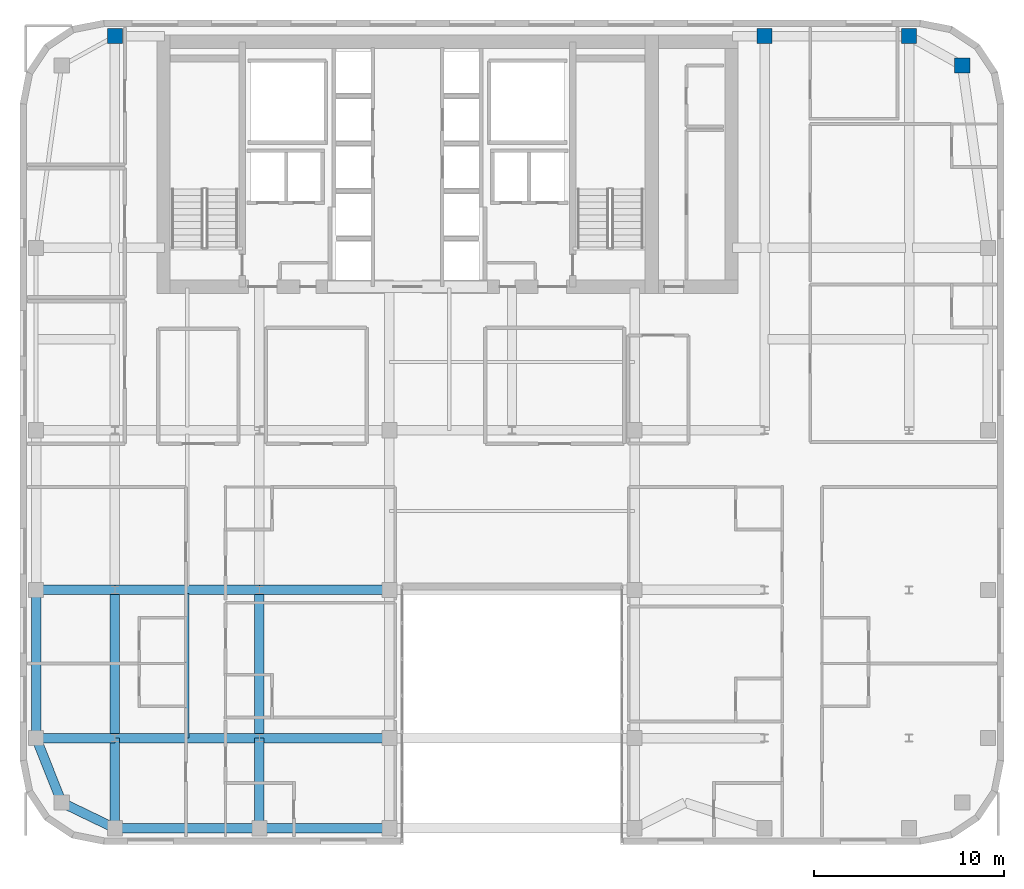
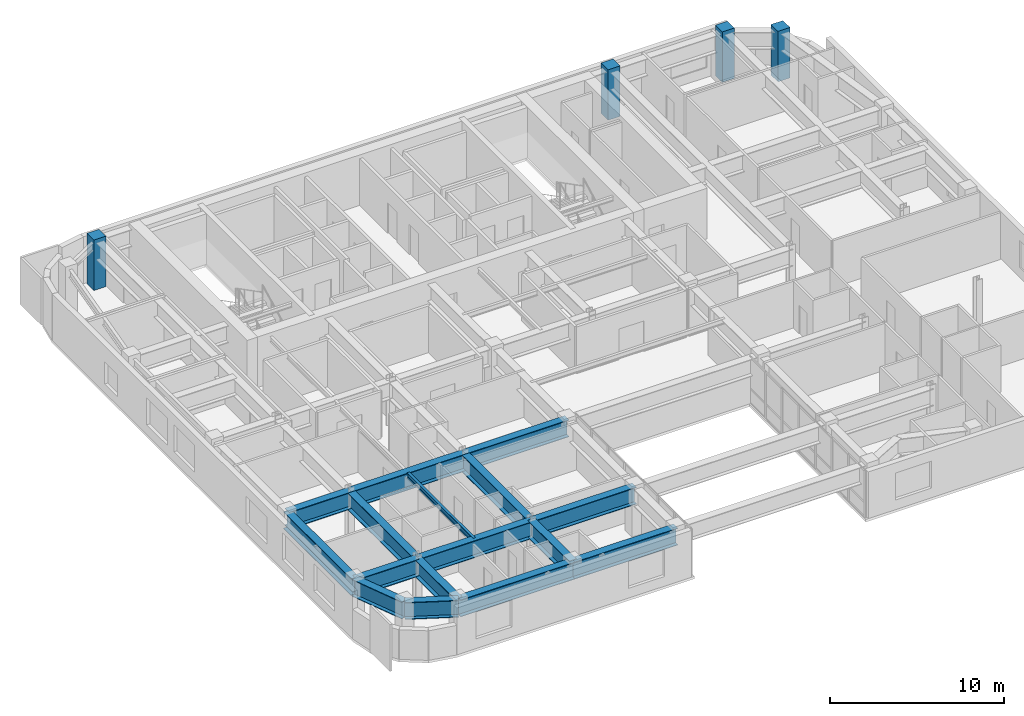
# One storey, part 2 of 13: 16 beams, 4 columns.
"""IFC4 building model written with IfcOpenShell, lengths in metres."""

import ifcopenshell
import ifcopenshell.guid

model = None  # the IFC model being written
_history = None  # IfcOwnerHistory: only IFC2X3 demands one
_inside = {}  # id of a spatial element -> (the spatial element, [elements in it])
_under = {}  # id of a project, library or spatial element -> (it, [spatial elements below it])
_declared = {}  # id of a project -> (the project, [libraries it declares])
_typed = {}  # id of a type object -> (the type object, [elements of that type])
_made_of = {}  # id of a material, layer set ... -> (it, [elements and type objects made of it])


def new_model(schema):
    """Start an empty IFC model of exactly this schema.

    Asked for "IFC4X3", IfcOpenShell would pick the latest addendum, in which some entities
    have other attributes; the version numbers below select the first issue.
    IFC2X3 requires an IfcOwnerHistory on every rooted entity: one is made here for all.
    """
    global model, _history
    if schema == "IFC4X3":
        model = ifcopenshell.file(schema_version=(4, 3, 0, 0))
    else:
        model = ifcopenshell.file(schema=schema)
    _inside.clear()
    _under.clear()
    _declared.clear()
    _typed.clear()
    _made_of.clear()
    _history = None
    if model.schema == "IFC2X3":
        org = make("IfcOrganization", Name="unknown")
        user = make(
            "IfcPersonAndOrganization",
            ThePerson=make("IfcPerson", FamilyName="unknown"),
            TheOrganization=org,
        )
        app = make(
            "IfcApplication",
            ApplicationDeveloper=org,
            Version="unknown",
            ApplicationFullName="unknown",
            ApplicationIdentifier="unknown",
        )
        _history = make(
            "IfcOwnerHistory",
            OwningUser=user,
            OwningApplication=app,
            ChangeAction="ADDED",
            CreationDate=0,
        )
    return model


def make(cls, **values):
    """One entity of the class cls with the attributes given. An attribute that is None is left unset."""
    return model.create_entity(
        cls, **{name: value for name, value in values.items() if value is not None}
    )


def rooted(cls, **values):
    """An entity with a GlobalId (a new one), such as an element, a storey or a relation."""
    return make(cls, GlobalId=ifcopenshell.guid.new(), OwnerHistory=_history, **values)


def si_unit(unit_type, name, prefix=None):
    """IfcSIUnit, for example si_unit("LENGTHUNIT", "METRE", prefix="MILLI")."""
    return make("IfcSIUnit", UnitType=unit_type, Prefix=prefix, Name=name)


def assignment(units):
    """IfcUnitAssignment: the units of a project."""
    return None if units is None else make("IfcUnitAssignment", Units=units)


def point(xyz):
    """IfcCartesianPoint."""
    return None if xyz is None else make("IfcCartesianPoint", Coordinates=xyz)


def direction(xyz):
    """IfcDirection."""
    return None if xyz is None else make("IfcDirection", DirectionRatios=xyz)


def frame(location, z_axis=None, x_axis=None):
    """IfcAxis2Placement3D, a coordinate frame: its origin and axes. An axis left out is left unset."""
    return make(
        "IfcAxis2Placement3D",
        Location=point(location),
        Axis=direction(z_axis),
        RefDirection=direction(x_axis),
    )


def frame_2d(location, x_axis=None):
    """IfcAxis2Placement2D, a coordinate frame in the plane: its origin and x axis."""
    return make(
        "IfcAxis2Placement2D", Location=point(location), RefDirection=direction(x_axis)
    )


def origin():
    """The frame at (0, 0, 0) with its axes left unset."""
    return frame((0.0, 0.0, 0.0))


def origin_2d():
    """The frame at (0, 0) in the plane with its x axis left unset."""
    return frame_2d((0.0, 0.0))


def place(relative_to, where):
    """IfcLocalPlacement: puts the frame where relative to a parent placement (None: the world)."""
    return make(
        "IfcLocalPlacement", PlacementRelTo=relative_to, RelativePlacement=where
    )


def context(
    kind, dimensions, precision=None, world=None, true_north=None, identifier=None
):
    """IfcGeometricRepresentationContext, for example the 3D "Model" context."""
    return make(
        "IfcGeometricRepresentationContext",
        ContextIdentifier=identifier,
        ContextType=kind,
        CoordinateSpaceDimension=dimensions,
        Precision=precision,
        WorldCoordinateSystem=world,
        TrueNorth=true_north,
    )


def subcontext(parent, identifier, kind, view, scale=None):
    """IfcGeometricRepresentationSubContext, for example "Body" below "Model"."""
    return make(
        "IfcGeometricRepresentationSubContext",
        ContextIdentifier=identifier,
        ContextType=kind,
        ParentContext=parent,
        TargetScale=scale,
        TargetView=view,
    )


def project(units=None, contexts=None):
    """IfcProject with its units and contexts."""
    return rooted(
        "IfcProject",
        Name="project",
        RepresentationContexts=contexts,
        UnitsInContext=assignment(units),
    )


def spatial(cls, under=None, at=None, **own):
    """A site, building, storey or space (cls), placed at a placement, below another one or the project."""
    s = rooted(cls, ObjectPlacement=at, **own)
    if under is not None:
        _under.setdefault(under.id(), (under, []))[1].append(s)
    return s


def profile(cls, at=None, kind="AREA", **sizes):
    """A parametric profile (cls). Its sizes go by their IFC names, for example OverallWidth=200.0."""
    return make(cls, ProfileType=kind, Position=at, **sizes)


def rectangle(**sizes):
    """IfcRectangleProfileDef."""
    return profile("IfcRectangleProfileDef", **sizes)


def i_section(**sizes):
    """IfcIShapeProfileDef."""
    return profile("IfcIShapeProfileDef", **sizes)


def extrude(swept, where, along, depth):
    """IfcExtrudedAreaSolid: the profile swept, set in the frame where, extruded along a direction by depth."""
    return make(
        "IfcExtrudedAreaSolid",
        SweptArea=swept,
        Position=where,
        ExtrudedDirection=direction(along),
        Depth=depth,
    )


def shape(context_of_items, identifier, shape_type, items):
    """IfcShapeRepresentation: the items that make up one representation, for example the "Body"."""
    return make(
        "IfcShapeRepresentation",
        ContextOfItems=context_of_items,
        RepresentationIdentifier=identifier,
        RepresentationType=shape_type,
        Items=items,
    )


def source(mapping_origin, context_of_items, identifier, shape_type, items):
    """IfcRepresentationMap: a shape defined once, which mapped items show again and again."""
    return make(
        "IfcRepresentationMap",
        MappingOrigin=mapping_origin,
        MappedRepresentation=shape(context_of_items, identifier, shape_type, items),
    )


def transform(
    local_origin,
    x_axis=None,
    y_axis=None,
    z_axis=None,
    scale=None,
    scale2=None,
    scale3=None,
    uniform=True,
):
    """IfcCartesianTransformationOperator3D, or its non-uniform kind. x_axis, y_axis, z_axis: its Axis1, 2, 3."""
    if uniform:
        return make(
            "IfcCartesianTransformationOperator3D",
            Axis1=direction(x_axis),
            Axis2=direction(y_axis),
            LocalOrigin=point(local_origin),
            Scale=scale,
            Axis3=direction(z_axis),
        )
    return make(
        "IfcCartesianTransformationOperator3DnonUniform",
        Axis1=direction(x_axis),
        Axis2=direction(y_axis),
        LocalOrigin=point(local_origin),
        Scale=scale,
        Axis3=direction(z_axis),
        Scale2=scale2,
        Scale3=scale3,
    )


def mapped(mapping_source, mapping_target):
    """IfcMappedItem: shows the shape of a source again, moved by a transform."""
    return make(
        "IfcMappedItem", MappingSource=mapping_source, MappingTarget=mapping_target
    )


def material(Name=None, Category=None):
    """IfcMaterial."""
    return make("IfcMaterial", Name=Name, Category=Category)


def material_profile(
    of_material, cross_section, Name=None, Category=None, Priority=None
):
    """IfcMaterialProfile: a cross section and its material."""
    return make(
        "IfcMaterialProfile",
        Name=Name,
        Material=of_material,
        Profile=cross_section,
        Priority=Priority,
        Category=Category,
    )


def profile_set(profiles, Name=None, composite=None):
    """IfcMaterialProfileSet."""
    return make(
        "IfcMaterialProfileSet",
        Name=Name,
        MaterialProfiles=profiles,
        CompositeProfile=composite,
    )


def made_of(thing, what):
    """Note that an element or type object is made of a material, layer set ...; save() writes the relation."""
    if what is not None:
        _made_of.setdefault(what.id(), (what, []))[1].append(thing)
    return thing


def type_object(cls, material=None, **own):
    """A type object (cls), such as IfcWallType, which elements share."""
    return made_of(rooted(cls, **own), material)


def type_shapes(of_type, sources):
    """Give a type object the sources (RepresentationMaps) that its elements show as mapped items."""
    of_type.RepresentationMaps = sources


def element(
    cls,
    number,
    at=None,
    inside=None,
    cuts=None,
    type_object=None,
    material=None,
    context=None,
    identifier="Body",
    shape_type=None,
    held_by="IfcProductDefinitionShape",
    body=None,
    shapes=None,
    **own,
):
    """One element of the class cls, such as IfcWall. Its Tag is "e" and its number.

    at: its placement. inside: the storey or other place that contains it. cuts: it is an
    opening in that element (IfcRelVoidsElement). A single representation is given by context,
    identifier, shape_type and body (its items); several are given by shapes. held_by: the class
    of the entity that holds the representations. save() writes the other relations.
    """
    e = rooted(cls, Tag="e%d" % number, ObjectPlacement=at, **own)
    if body is not None:
        shapes = [shape(context, identifier, shape_type, body)]
    if shapes is not None:
        e.Representation = make(held_by, Representations=shapes)
    if inside is not None:
        _inside.setdefault(inside.id(), (inside, []))[1].append(e)
    if cuts is not None:
        rooted(
            "IfcRelVoidsElement", RelatingBuildingElement=cuts, RelatedOpeningElement=e
        )
    if type_object is not None:
        _typed.setdefault(type_object.id(), (type_object, []))[1].append(e)
    return made_of(e, material)


def aggregate(whole, parts):
    """IfcRelAggregates: a whole, such as a stair, and the parts it consists of."""
    return rooted("IfcRelAggregates", RelatingObject=whole, RelatedObjects=parts)


def save(model, path):
    """Write the relations noted so far, then the file.

    IfcRelAggregates (storeys below a building ...), IfcRelContainedInSpatialStructure (elements
    in a storey), IfcRelDefinesByType, IfcRelAssociatesMaterial and IfcRelDeclares: one each for
    every whole, place, type object, material and project.
    """
    for whole, parts in _under.values():
        aggregate(whole, parts)
    for where, things in _inside.values():
        rooted(
            "IfcRelContainedInSpatialStructure",
            RelatedElements=things,
            RelatingStructure=where,
        )
    for kind, things in _typed.values():
        rooted("IfcRelDefinesByType", RelatedObjects=things, RelatingType=kind)
    for what, things in _made_of.values():
        rooted("IfcRelAssociatesMaterial", RelatedObjects=things, RelatingMaterial=what)
    for by, libraries in _declared.values():
        rooted("IfcRelDeclares", RelatingContext=by, RelatedDefinitions=libraries)
    model.write(path)


model = new_model("IFC4")

# Units and contexts
model_context = context("Model", 3, precision=1e-05, world=origin(), true_north=direction((0.0, 1.0)))
body_context = subcontext(model_context, "Body", "Model", "MODEL_VIEW")
ifc_project = project(units=[si_unit("LENGTHUNIT", "METRE"), si_unit("AREAUNIT", "SQUARE_METRE"), si_unit("VOLUMEUNIT", "CUBIC_METRE"), si_unit("PLANEANGLEUNIT", "RADIAN"), si_unit("MASSUNIT", "GRAM", prefix="KILO")], contexts=[model_context])

# Site, building, storey
site_placement = place(None, origin())
site = spatial("IfcSite", under=ifc_project, at=site_placement, CompositionType="ELEMENT")
building_placement = place(site_placement, origin())
building = spatial("IfcBuilding", under=site, at=building_placement, Name="Tolvann Quenvar Hotel", CompositionType="ELEMENT")
storey_placement = place(building_placement, frame((0.0, 0.0, 201.75)))
storey = spatial("IfcBuildingStorey", under=building, at=storey_placement, Name="L53", CompositionType="ELEMENT", Elevation=201.75)

# Columns
ifc_material_1 = material(Name="Concrete N50 (50 MPa)", Category="concrete")
ifc_material_profile_1 = material_profile(ifc_material_1, rectangle(XDim=0.800048828125, YDim=0.800048828125, at=origin_2d()), Name="RC800x800")
ifc_profile_set_1 = profile_set([ifc_material_profile_1], Name="Concrete N50 (50 MPa)")
column_type = type_object("IfcColumnType", Name="COL_RC800", PredefinedType="COLUMN", material=ifc_profile_set_1)
shared_shape_1 = source(origin(), body_context, "Body", "SweptSolid", [
    extrude(rectangle(XDim=0.800048828125, YDim=0.800048828125, at=origin_2d()), origin(), (0.0, 0.0, 1.0), 3.550048828125),
])
type_shapes(column_type, [shared_shape_1])
for number, where, z_axis, x_axis, name in (
    (1, (7.60009765625, 45.14990234375, 0.0), (0.0, 0.0, 1.0), (1.0, 0.0, 0.0), "Column CN (L53)"),
    (2, (41.800048828125, 45.14990234375, 0.0), (0.0, 0.0, 1.0), (1.0, 0.0, 0.0), "Column HN (L53)"),
    (3, (49.39990234375, 45.14990234375, 0.0), (0.0, 0.0, 1.0), (1.0, 0.0, 0.0), "Column IN (L53)"),
    (4, (52.199951171875, 43.60009765625, 0.0), (0.0, 0.0, 1.0), (1.0, 0.0, 0.0), "Column JN (L53)"),
):
    element("IfcColumn", number, at=place(storey_placement, frame(where, z_axis=z_axis, x_axis=x_axis)), inside=storey, type_object=column_type, Name=name, PredefinedType="COLUMN", context=body_context, shape_type="MappedRepresentation", body=[
        mapped(shared_shape_1, transform((0.0, 0.0, 0.0), x_axis=(1.0, 0.0, 0.0), y_axis=(0.0, 1.0, 0.0), z_axis=(0.0, 0.0, 1.0), scale=1.0)),
    ])

# Beams
ifc_material_2 = material(Name="Steel Grade 350", Category="steel")
ifc_material_profile_2 = material_profile(ifc_material_2, i_section(OverallWidth=0.5, OverallDepth=1.199951171875, WebThickness=0.01611328125, FlangeThickness=0.0400390625, at=origin_2d()), Name="1200WB455")
ifc_profile_set_2 = profile_set([ifc_material_profile_2], Name="Steel Grade 350")
beam_type_1 = type_object("IfcBeamType", Name="BM_TG_1200WB455", PredefinedType="USERDEFINED", material=ifc_profile_set_2)
shared_shape_2 = source(origin(), body_context, "Body", "SweptSolid", [
    extrude(i_section(OverallWidth=0.5, OverallDepth=1.199951171875, WebThickness=0.01611328125, FlangeThickness=0.0400390625, at=origin_2d()), origin(), (0.0, 0.0, 1.0), 7.599853515625),
])
for number, where, z_axis, x_axis, name in (
    (5, (7.60009765625, 3.449951171875, 2.68994140625), (1.0, 0.0, 0.0), (0.0, 1.0, 0.0), "BM-L53-EW-2-C2-D2"),
    (6, (7.60009765625, 8.199951171875, 2.68994140625), (1.0, 0.0, 0.0), (0.0, 1.0, 0.0), "BM-L53-EW-3-C3-D3"),
    (7, (7.60009765625, 16.0, 2.68994140625), (1.0, 0.0, 0.0), (0.0, 1.0, 0.0), "BM-L53-EW-4-C4-D4"),
):
    element("IfcBeam", number, at=place(storey_placement, frame(where, z_axis=z_axis, x_axis=x_axis)), inside=storey, type_object=beam_type_1, Name=name, ObjectType="TRANSFER GIRDER", PredefinedType="USERDEFINED", context=body_context, shape_type="MappedRepresentation", body=[
        mapped(shared_shape_2, transform((0.0, 0.0, 0.0), x_axis=(1.0, 0.0, 0.0), y_axis=(0.0, 1.0, 0.0), z_axis=(0.0, 0.0, 1.0), scale=1.0)),
    ])
shared_shape_3 = source(origin(), body_context, "Body", "SweptSolid", [
    extrude(i_section(OverallWidth=0.5, OverallDepth=1.199951171875, WebThickness=0.01611328125, FlangeThickness=0.0400390625, at=origin_2d()), origin(), (0.0, 0.0, 1.0), 4.150146484375),
])
for number, where, z_axis, x_axis, name in (
    (8, (3.449951171875, 8.199951171875, 2.68994140625), (1.0, 0.0, 0.0), (0.0, 1.0, 0.0), "BM-L53-EW-3-B3-C3"),
    (9, (3.449951171875, 16.0, 2.68994140625), (1.0, 0.0, 0.0), (0.0, 1.0, 0.0), "BM-L53-EW-4-B4-C4"),
):
    element("IfcBeam", number, at=place(storey_placement, frame(where, z_axis=z_axis, x_axis=x_axis)), inside=storey, type_object=beam_type_1, Name=name, ObjectType="TRANSFER GIRDER", PredefinedType="USERDEFINED", context=body_context, shape_type="MappedRepresentation", body=[
        mapped(shared_shape_3, transform((0.0, 0.0, 0.0), x_axis=(1.0, 0.0, 0.0), y_axis=(0.0, 1.0, 0.0), z_axis=(0.0, 0.0, 1.0), scale=1.0)),
    ])
shared_shape_4 = source(origin(), body_context, "Body", "SweptSolid", [
    extrude(i_section(OverallWidth=0.5, OverallDepth=1.199951171875, WebThickness=0.01611328125, FlangeThickness=0.0400390625, at=origin_2d()), origin(), (0.0, 0.0, 1.0), 7.800048828125),
])
for number, where, z_axis, x_axis, name in (
    (10, (3.449951171875, 8.199951171875, 2.68994140625), (0.0, 1.0, 0.0), (-1.0, 0.0, 0.0), "BM-L53-NS-B3-B4"),
    (11, (7.60009765625, 8.199951171875, 2.68994140625), (0.0, 1.0, 0.0), (-1.0, 0.0, 0.0), "BM-L53-NS-C3-C4"),
    (12, (15.199951171875, 8.199951171875, 2.68994140625), (0.0, 1.0, 0.0), (-1.0, 0.0, 0.0), "BM-L53-NS-D3-D4"),
):
    element("IfcBeam", number, at=place(storey_placement, frame(where, z_axis=z_axis, x_axis=x_axis)), inside=storey, type_object=beam_type_1, Name=name, ObjectType="TRANSFER GIRDER", PredefinedType="USERDEFINED", context=body_context, shape_type="MappedRepresentation", body=[
        mapped(shared_shape_4, transform((0.0, 0.0, 0.0), x_axis=(1.0, 0.0, 0.0), y_axis=(0.0, 1.0, 0.0), z_axis=(0.0, 0.0, 1.0), scale=1.0)),
    ])
shared_shape_5 = source(origin(), body_context, "Body", "SweptSolid", [
    extrude(i_section(OverallWidth=0.5, OverallDepth=1.199951171875, WebThickness=0.01611328125, FlangeThickness=0.0400390625, at=origin_2d()), origin(), (0.0, 0.0, 1.0), 6.85009765625),
])
for number, where, z_axis, x_axis, name in (
    (13, (15.199951171875, 3.449951171875, 2.68994140625), (1.0, 0.0, 0.0), (0.0, 1.0, 0.0), "BM-L53-EW-2-D2-E2"),
    (14, (15.199951171875, 8.199951171875, 2.68994140625), (1.0, 0.0, 0.0), (0.0, 1.0, 0.0), "BM-L53-EW-3-D3-E3"),
    (15, (15.199951171875, 16.0, 2.68994140625), (1.0, 0.0, 0.0), (0.0, 1.0, 0.0), "BM-L53-EW-4-D4-E4"),
):
    element("IfcBeam", number, at=place(storey_placement, frame(where, z_axis=z_axis, x_axis=x_axis)), inside=storey, type_object=beam_type_1, Name=name, ObjectType="TRANSFER GIRDER", PredefinedType="USERDEFINED", context=body_context, shape_type="MappedRepresentation", body=[
        mapped(shared_shape_5, transform((0.0, 0.0, 0.0), x_axis=(1.0, 0.0, 0.0), y_axis=(0.0, 1.0, 0.0), z_axis=(0.0, 0.0, 1.0), scale=1.0)),
    ])
shared_shape_6 = source(origin(), body_context, "Body", "SweptSolid", [
    extrude(i_section(OverallWidth=0.5, OverallDepth=1.199951171875, WebThickness=0.01611328125, FlangeThickness=0.0400390625, at=origin_2d()), origin(), (0.0, 0.0, 1.0), 3.108642578125),
])
beam_1_placement = place(storey_placement, frame((4.800048828125, 4.800048828125, 2.68994140625), z_axis=(0.900759354066, -0.434318530646, 0.0), x_axis=(0.434318530646, 0.900759354066, 0.0)))
element("IfcBeam", 16, at=beam_1_placement, inside=storey, type_object=beam_type_1, Name="BM-L53-EW-2-B2-C2", ObjectType="TRANSFER GIRDER", PredefinedType="USERDEFINED", context=body_context, shape_type="MappedRepresentation", body=[
    mapped(shared_shape_6, transform((0.0, 0.0, 0.0), x_axis=(1.0, 0.0, 0.0), y_axis=(0.0, 1.0, 0.0), z_axis=(0.0, 0.0, 1.0), scale=1.0)),
])
shared_shape_7 = source(origin(), body_context, "Body", "SweptSolid", [
    extrude(i_section(OverallWidth=0.5, OverallDepth=1.199951171875, WebThickness=0.01611328125, FlangeThickness=0.0400390625, at=origin_2d()), origin(), (0.0, 0.0, 1.0), 3.658203125),
])
beam_2_placement = place(storey_placement, frame((4.800048828125, 4.800048828125, 2.68994140625), z_axis=(-0.369065163807, 0.929403521009, 0.0), x_axis=(-0.929403521009, -0.369065163807, 0.0)))
element("IfcBeam", 17, at=beam_2_placement, inside=storey, type_object=beam_type_1, Name="BM-L53-NS-B2-B3", ObjectType="TRANSFER GIRDER", PredefinedType="USERDEFINED", context=body_context, shape_type="MappedRepresentation", body=[
    mapped(shared_shape_7, transform((0.0, 0.0, 0.0), x_axis=(1.0, 0.0, 0.0), y_axis=(0.0, 1.0, 0.0), z_axis=(0.0, 0.0, 1.0), scale=1.0)),
])
shared_shape_8 = source(origin(), body_context, "Body", "SweptSolid", [
    extrude(i_section(OverallWidth=0.5, OverallDepth=1.199951171875, WebThickness=0.01611328125, FlangeThickness=0.0400390625, at=origin_2d()), origin(), (0.0, 0.0, 1.0), 4.75),
])
type_shapes(beam_type_1, [shared_shape_2, shared_shape_3, shared_shape_4, shared_shape_5, shared_shape_6, shared_shape_7, shared_shape_8])
for number, where, z_axis, x_axis, name in (
    (18, (7.60009765625, 3.449951171875, 2.68994140625), (0.0, 1.0, 0.0), (-1.0, 0.0, 0.0), "BM-L53-NS-C2-C3"),
    (19, (15.199951171875, 3.449951171875, 2.68994140625), (0.0, 1.0, 0.0), (-1.0, 0.0, 0.0), "BM-L53-NS-D2-D3"),
):
    element("IfcBeam", number, at=place(storey_placement, frame(where, z_axis=z_axis, x_axis=x_axis)), inside=storey, type_object=beam_type_1, Name=name, ObjectType="TRANSFER GIRDER", PredefinedType="USERDEFINED", context=body_context, shape_type="MappedRepresentation", body=[
        mapped(shared_shape_8, transform((0.0, 0.0, 0.0), x_axis=(1.0, 0.0, 0.0), y_axis=(0.0, 1.0, 0.0), z_axis=(0.0, 0.0, 1.0), scale=1.0)),
    ])
ifc_material_profile_3 = material_profile(ifc_material_2, i_section(OverallWidth=0.172119140625, OverallDepth=0.35888671875, WebThickness=0.008056640625, FlangeThickness=0.012939453125, FilletRadius=0.011474609375, at=origin_2d()), Name="360UB57")
ifc_profile_set_3 = profile_set([ifc_material_profile_3], Name="Steel Grade 350")
beam_type_2 = type_object("IfcBeamType", Name="BM_JOIST_360UB57", PredefinedType="JOIST", material=ifc_profile_set_3)
shared_shape_9 = source(origin(), body_context, "Body", "SweptSolid", [
    extrude(i_section(OverallWidth=0.172119140625, OverallDepth=0.35888671875, WebThickness=0.008056640625, FlangeThickness=0.012939453125, FilletRadius=0.011474609375, at=origin_2d()), origin(), (0.0, 0.0, 1.0), 7.614990234375),
])
type_shapes(beam_type_2, [shared_shape_9])
beam_3_placement = place(storey_placement, frame((11.39990234375, 8.199951171875, 3.110595703125), z_axis=(0.0, 1.0, 0.0), x_axis=(-1.0, 0.0, 0.0)))
element("IfcBeam", 20, at=beam_3_placement, inside=storey, type_object=beam_type_2, Name="BJ-L53-114-82", PredefinedType="JOIST", context=body_context, shape_type="MappedRepresentation", body=[
    mapped(shared_shape_9, transform((0.0, 0.0, 0.0), x_axis=(1.0, 0.0, 0.0), y_axis=(0.0, 1.0, 0.0), z_axis=(0.0, 0.0, 1.0), scale=1.0)),
])

save(model, "model.ifc")
